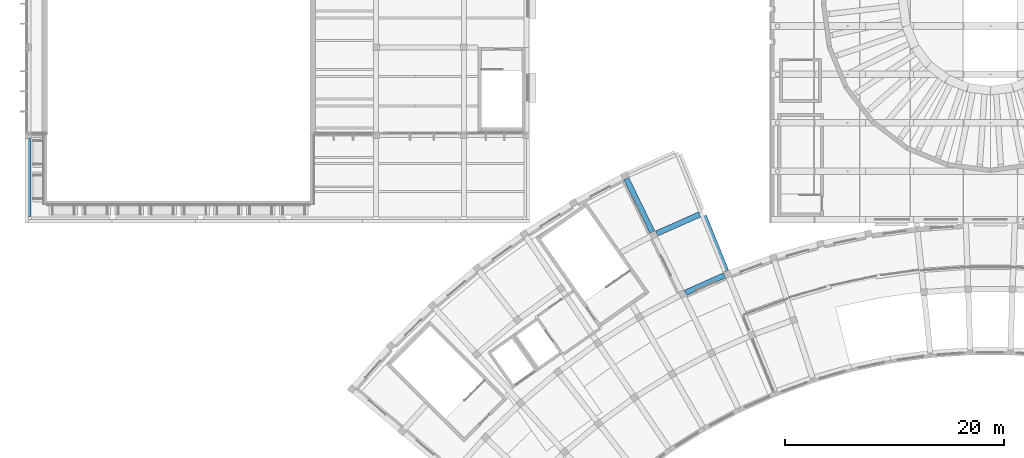
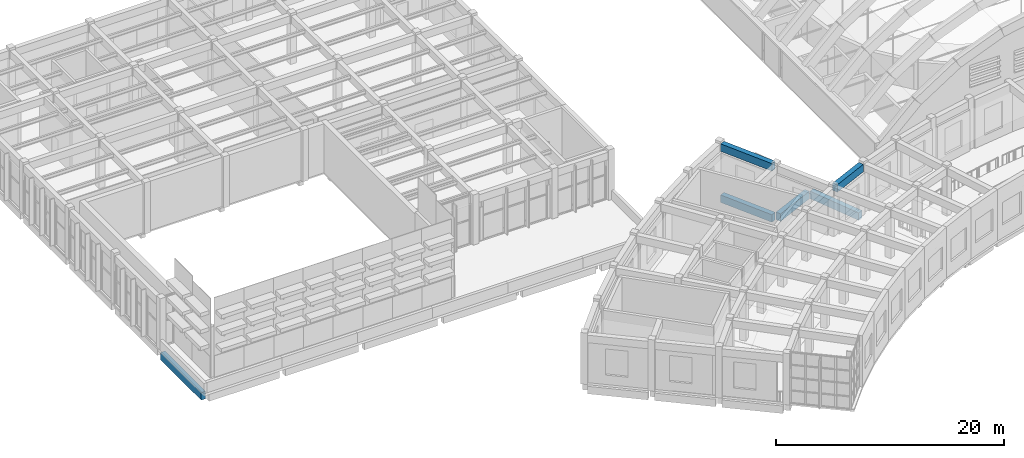
# One storey, part 4 of 94: 6 beams.
"""IFC4 building model written with IfcOpenShell, lengths in metres."""

import ifcopenshell
import ifcopenshell.guid

model = None  # the IFC model being written
_history = None  # IfcOwnerHistory: only IFC2X3 demands one
_inside = {}  # id of a spatial element -> (the spatial element, [elements in it])
_under = {}  # id of a project, library or spatial element -> (it, [spatial elements below it])
_declared = {}  # id of a project -> (the project, [libraries it declares])
_typed = {}  # id of a type object -> (the type object, [elements of that type])
_made_of = {}  # id of a material, layer set ... -> (it, [elements and type objects made of it])


def new_model(schema):
    """Start an empty IFC model of exactly this schema.

    Asked for "IFC4X3", IfcOpenShell would pick the latest addendum, in which some entities
    have other attributes; the version numbers below select the first issue.
    IFC2X3 requires an IfcOwnerHistory on every rooted entity: one is made here for all.
    """
    global model, _history
    if schema == "IFC4X3":
        model = ifcopenshell.file(schema_version=(4, 3, 0, 0))
    else:
        model = ifcopenshell.file(schema=schema)
    _inside.clear()
    _under.clear()
    _declared.clear()
    _typed.clear()
    _made_of.clear()
    _history = None
    if model.schema == "IFC2X3":
        org = make("IfcOrganization", Name="unknown")
        user = make(
            "IfcPersonAndOrganization",
            ThePerson=make("IfcPerson", FamilyName="unknown"),
            TheOrganization=org,
        )
        app = make(
            "IfcApplication",
            ApplicationDeveloper=org,
            Version="unknown",
            ApplicationFullName="unknown",
            ApplicationIdentifier="unknown",
        )
        _history = make(
            "IfcOwnerHistory",
            OwningUser=user,
            OwningApplication=app,
            ChangeAction="ADDED",
            CreationDate=0,
        )
    return model


def make(cls, **values):
    """One entity of the class cls with the attributes given. An attribute that is None is left unset."""
    return model.create_entity(
        cls, **{name: value for name, value in values.items() if value is not None}
    )


def rooted(cls, **values):
    """An entity with a GlobalId (a new one), such as an element, a storey or a relation."""
    return make(cls, GlobalId=ifcopenshell.guid.new(), OwnerHistory=_history, **values)


def si_unit(unit_type, name, prefix=None):
    """IfcSIUnit, for example si_unit("LENGTHUNIT", "METRE", prefix="MILLI")."""
    return make("IfcSIUnit", UnitType=unit_type, Prefix=prefix, Name=name)


def assignment(units):
    """IfcUnitAssignment: the units of a project."""
    return None if units is None else make("IfcUnitAssignment", Units=units)


def point(xyz):
    """IfcCartesianPoint."""
    return None if xyz is None else make("IfcCartesianPoint", Coordinates=xyz)


def direction(xyz):
    """IfcDirection."""
    return None if xyz is None else make("IfcDirection", DirectionRatios=xyz)


def frame(location, z_axis=None, x_axis=None):
    """IfcAxis2Placement3D, a coordinate frame: its origin and axes. An axis left out is left unset."""
    return make(
        "IfcAxis2Placement3D",
        Location=point(location),
        Axis=direction(z_axis),
        RefDirection=direction(x_axis),
    )


def frame_2d(location, x_axis=None):
    """IfcAxis2Placement2D, a coordinate frame in the plane: its origin and x axis."""
    return make(
        "IfcAxis2Placement2D", Location=point(location), RefDirection=direction(x_axis)
    )


def origin():
    """The frame at (0, 0, 0) with its axes left unset."""
    return frame((0.0, 0.0, 0.0))


def origin_2d():
    """The frame at (0, 0) in the plane with its x axis left unset."""
    return frame_2d((0.0, 0.0))


def place(relative_to, where):
    """IfcLocalPlacement: puts the frame where relative to a parent placement (None: the world)."""
    return make(
        "IfcLocalPlacement", PlacementRelTo=relative_to, RelativePlacement=where
    )


def context(
    kind, dimensions, precision=None, world=None, true_north=None, identifier=None
):
    """IfcGeometricRepresentationContext, for example the 3D "Model" context."""
    return make(
        "IfcGeometricRepresentationContext",
        ContextIdentifier=identifier,
        ContextType=kind,
        CoordinateSpaceDimension=dimensions,
        Precision=precision,
        WorldCoordinateSystem=world,
        TrueNorth=true_north,
    )


def subcontext(parent, identifier, kind, view, scale=None):
    """IfcGeometricRepresentationSubContext, for example "Body" below "Model"."""
    return make(
        "IfcGeometricRepresentationSubContext",
        ContextIdentifier=identifier,
        ContextType=kind,
        ParentContext=parent,
        TargetScale=scale,
        TargetView=view,
    )


def project(units=None, contexts=None):
    """IfcProject with its units and contexts."""
    return rooted(
        "IfcProject",
        Name="project",
        RepresentationContexts=contexts,
        UnitsInContext=assignment(units),
    )


def spatial(cls, under=None, at=None, **own):
    """A site, building, storey or space (cls), placed at a placement, below another one or the project."""
    s = rooted(cls, ObjectPlacement=at, **own)
    if under is not None:
        _under.setdefault(under.id(), (under, []))[1].append(s)
    return s


def profile(cls, at=None, kind="AREA", **sizes):
    """A parametric profile (cls). Its sizes go by their IFC names, for example OverallWidth=200.0."""
    return make(cls, ProfileType=kind, Position=at, **sizes)


def rectangle(**sizes):
    """IfcRectangleProfileDef."""
    return profile("IfcRectangleProfileDef", **sizes)


def extrude(swept, where, along, depth):
    """IfcExtrudedAreaSolid: the profile swept, set in the frame where, extruded along a direction by depth."""
    return make(
        "IfcExtrudedAreaSolid",
        SweptArea=swept,
        Position=where,
        ExtrudedDirection=direction(along),
        Depth=depth,
    )


def shape(context_of_items, identifier, shape_type, items):
    """IfcShapeRepresentation: the items that make up one representation, for example the "Body"."""
    return make(
        "IfcShapeRepresentation",
        ContextOfItems=context_of_items,
        RepresentationIdentifier=identifier,
        RepresentationType=shape_type,
        Items=items,
    )


def material(Name=None, Category=None):
    """IfcMaterial."""
    return make("IfcMaterial", Name=Name, Category=Category)


def material_profile(
    of_material, cross_section, Name=None, Category=None, Priority=None
):
    """IfcMaterialProfile: a cross section and its material."""
    return make(
        "IfcMaterialProfile",
        Name=Name,
        Material=of_material,
        Profile=cross_section,
        Priority=Priority,
        Category=Category,
    )


def profile_set(profiles, Name=None, composite=None):
    """IfcMaterialProfileSet."""
    return make(
        "IfcMaterialProfileSet",
        Name=Name,
        MaterialProfiles=profiles,
        CompositeProfile=composite,
    )


def made_of(thing, what):
    """Note that an element or type object is made of a material, layer set ...; save() writes the relation."""
    if what is not None:
        _made_of.setdefault(what.id(), (what, []))[1].append(thing)
    return thing


def type_object(cls, material=None, **own):
    """A type object (cls), such as IfcWallType, which elements share."""
    return made_of(rooted(cls, **own), material)


def element(
    cls,
    number,
    at=None,
    inside=None,
    cuts=None,
    type_object=None,
    material=None,
    context=None,
    identifier="Body",
    shape_type=None,
    held_by="IfcProductDefinitionShape",
    body=None,
    shapes=None,
    **own,
):
    """One element of the class cls, such as IfcWall. Its Tag is "e" and its number.

    at: its placement. inside: the storey or other place that contains it. cuts: it is an
    opening in that element (IfcRelVoidsElement). A single representation is given by context,
    identifier, shape_type and body (its items); several are given by shapes. held_by: the class
    of the entity that holds the representations. save() writes the other relations.
    """
    e = rooted(cls, Tag="e%d" % number, ObjectPlacement=at, **own)
    if body is not None:
        shapes = [shape(context, identifier, shape_type, body)]
    if shapes is not None:
        e.Representation = make(held_by, Representations=shapes)
    if inside is not None:
        _inside.setdefault(inside.id(), (inside, []))[1].append(e)
    if cuts is not None:
        rooted(
            "IfcRelVoidsElement", RelatingBuildingElement=cuts, RelatedOpeningElement=e
        )
    if type_object is not None:
        _typed.setdefault(type_object.id(), (type_object, []))[1].append(e)
    return made_of(e, material)


def aggregate(whole, parts):
    """IfcRelAggregates: a whole, such as a stair, and the parts it consists of."""
    return rooted("IfcRelAggregates", RelatingObject=whole, RelatedObjects=parts)


def save(model, path):
    """Write the relations noted so far, then the file.

    IfcRelAggregates (storeys below a building ...), IfcRelContainedInSpatialStructure (elements
    in a storey), IfcRelDefinesByType, IfcRelAssociatesMaterial and IfcRelDeclares: one each for
    every whole, place, type object, material and project.
    """
    for whole, parts in _under.values():
        aggregate(whole, parts)
    for where, things in _inside.values():
        rooted(
            "IfcRelContainedInSpatialStructure",
            RelatedElements=things,
            RelatingStructure=where,
        )
    for kind, things in _typed.values():
        rooted("IfcRelDefinesByType", RelatedObjects=things, RelatingType=kind)
    for what, things in _made_of.values():
        rooted("IfcRelAssociatesMaterial", RelatedObjects=things, RelatingMaterial=what)
    for by, libraries in _declared.values():
        rooted("IfcRelDeclares", RelatingContext=by, RelatedDefinitions=libraries)
    model.write(path)


model = new_model("IFC4")

# Units and contexts
model_context = context("Model", 3, precision=1e-05, world=origin(), true_north=direction((0.0, 1.0)))
body_context = subcontext(model_context, "Body", "Model", "MODEL_VIEW")
ifc_project = project(units=[si_unit("LENGTHUNIT", "METRE"), si_unit("AREAUNIT", "SQUARE_METRE"), si_unit("VOLUMEUNIT", "CUBIC_METRE"), si_unit("PLANEANGLEUNIT", "RADIAN"), si_unit("MASSUNIT", "GRAM", prefix="KILO")], contexts=[model_context])

# Site, building, storey
site_placement = place(None, origin())
site = spatial("IfcSite", under=ifc_project, at=site_placement, CompositionType="ELEMENT")
building_placement = place(site_placement, origin())
building = spatial("IfcBuilding", under=site, at=building_placement, Name="Lunette Opera House", CompositionType="ELEMENT")
storey_placement = place(building_placement, frame((0.0, 0.0, 22.5)))
storey = spatial("IfcBuildingStorey", under=building, at=storey_placement, Name="L04", CompositionType="ELEMENT", Elevation=22.5)

# Beams
ifc_material_1 = material(Name="Concrete C35/45", Category="concrete")
ifc_material_profile_1 = material_profile(ifc_material_1, rectangle(XDim=0.449951171875, YDim=0.800048828125, at=origin_2d()), Name="RC BEAM 450X800")
ifc_profile_set_1 = profile_set([ifc_material_profile_1], Name="Concrete C35/45")
beam_type_1 = type_object("IfcBeamType", Name="RC BEAM 450X800", PredefinedType="BEAM", material=ifc_profile_set_1)
beam_1_placement = place(storey_placement, frame((8.300048828125, 64.590087890625, -0.64990234375), z_axis=(0.0, 1.0, 0.0), x_axis=(-1.0, 0.0, 0.0)))
element("IfcBeam", 1, at=beam_1_placement, inside=storey, type_object=beam_type_1, Name="beam-RW-L04-L04-GY00", PredefinedType="BEAM", context=body_context, shape_type="SweptSolid", body=[
    extrude(rectangle(XDim=0.449951171875, YDim=0.800048828125, at=origin_2d()), origin(), (0.0, 0.0, 1.0), 7.119873046875),
])
ifc_material_2 = material(Name="Concrete C35/45", Category="concrete")
ifc_material_profile_2 = material_profile(ifc_material_2, rectangle(XDim=0.5, YDim=0.800048828125, at=origin_2d()), Name="RC BEAM 500X800")
ifc_profile_set_2 = profile_set([ifc_material_profile_2], Name="Concrete C35/45")
beam_type_2 = type_object("IfcBeamType", Name="RC BEAM 500X800", PredefinedType="BEAM", material=ifc_profile_set_2)
beam_2_placement = place(storey_placement, frame((65.18701171875, 63.176025390625, -0.6201171875), z_axis=(-0.438327792699, 0.898815190207, 0.0), x_axis=(-0.898815190207, -0.438327792699, 0.0)))
element("IfcBeam", 2, at=beam_2_placement, inside=storey, type_object=beam_type_2, Name="beam-FC-L04-L04-RB-RL-07-4", PredefinedType="BEAM", context=body_context, shape_type="SweptSolid", body=[
    extrude(rectangle(XDim=0.5, YDim=0.800048828125, at=origin_2d()), origin(), (0.0, 0.0, 1.0), 5.420654296875),
])
beam_3_placement = place(storey_placement, frame((71.9169921875, 59.60888671875, -0.6201171875), z_axis=(-0.374719978652, 0.927138035893, 0.0), x_axis=(-0.927138035893, -0.374719978652, 0.0)))
element("IfcBeam", 3, at=beam_3_placement, inside=storey, type_object=beam_type_2, Name="beam-FC-L04-L04-RB-RL-08-3", PredefinedType="BEAM", context=body_context, shape_type="SweptSolid", body=[
    extrude(rectangle(XDim=0.5, YDim=0.800048828125, at=origin_2d()), origin(), (0.0, 0.0, 1.0), 5.420166015625),
])
beam_4_placement = place(storey_placement, frame((65.5791015625, 63.033935546875, -0.6201171875), z_axis=(0.91358695216, 0.406643432067, 0.0), x_axis=(-0.406643432067, 0.91358695216, 0.0)))
element("IfcBeam", 4, at=beam_4_placement, inside=storey, type_object=beam_type_2, Name="beam-FC-L04-L04-RG-AR-M2-RL-07", PredefinedType="BEAM", context=body_context, shape_type="SweptSolid", body=[
    extrude(rectangle(XDim=0.5, YDim=0.800048828125, at=origin_2d()), origin(), (0.0, 0.0, 1.0), 4.305908203125),
])
beam_5_placement = place(storey_placement, frame((65.18701171875, 63.176025390625, 4.85009765625), z_axis=(-0.438327792699, 0.898815190207, 0.0), x_axis=(-0.898815190207, -0.438327792699, 0.0)))
element("IfcBeam", 5, at=beam_5_placement, inside=storey, type_object=beam_type_2, Name="beam-FC-L04-RF-RB-RL-07-4", PredefinedType="BEAM", context=body_context, shape_type="SweptSolid", body=[
    extrude(rectangle(XDim=0.5, YDim=0.800048828125, at=origin_2d()), origin(), (0.0, 0.0, 1.0), 5.420654296875),
])
beam_6_placement = place(storey_placement, frame((68.208984375, 57.64111328125, 4.85009765625), z_axis=(0.913565322769, 0.406692022339, 0.0), x_axis=(-0.406692022339, 0.913565322769, 0.0)))
element("IfcBeam", 6, at=beam_6_placement, inside=storey, type_object=beam_type_2, Name="beam-FC-L04-RF-RG-AR-B-RL-07", PredefinedType="BEAM", context=body_context, shape_type="SweptSolid", body=[
    extrude(rectangle(XDim=0.5, YDim=0.800048828125, at=origin_2d()), origin(), (0.0, 0.0, 1.0), 3.886962890625),
])

save(model, "model.ifc")
